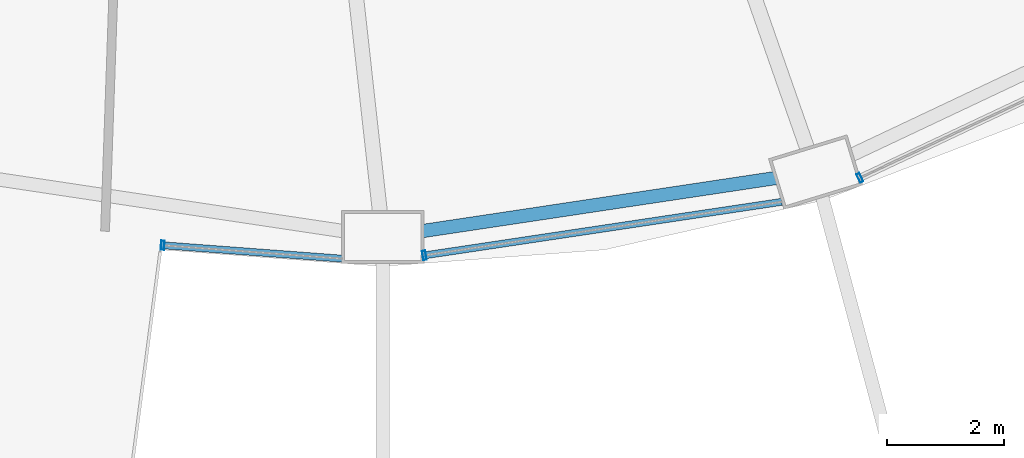
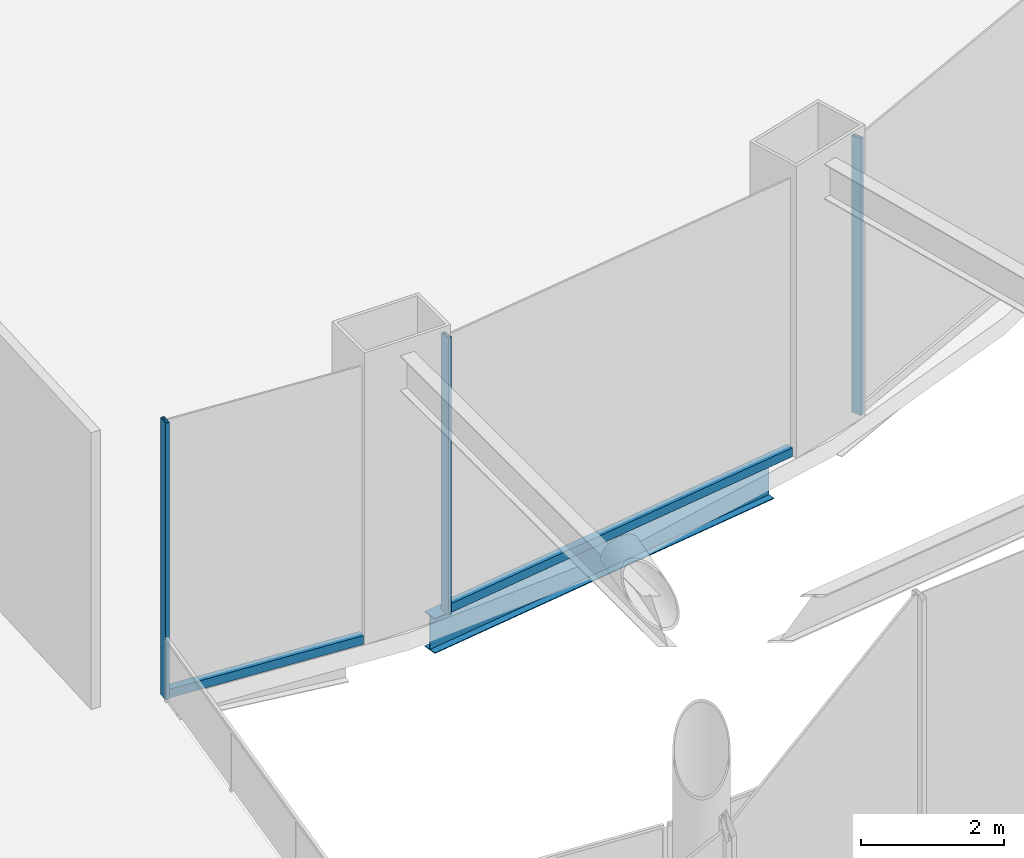
# One storey, part 10 of 52: 5 members, 1 beam, 3 elements without a shape of their own.
"""IFC4 building model written with IfcOpenShell, lengths in metres."""

from ifc_helpers import new_model, si_unit, direction, frame, origin, origin_2d, place, context, subcontext, project, spatial, hollow_rectangle, i_section, extrude, material, layer, layer_set, material_profile, profile_set, type_object, element, aggregate, save


model = new_model("IFC4")

# Units and contexts
model_context = context("Model", 3, precision=1e-05, world=origin(), true_north=direction((0.0, 1.0)))
body_context = subcontext(model_context, "Body", "Model", "MODEL_VIEW")
ifc_project = project(units=[si_unit("LENGTHUNIT", "METRE"), si_unit("AREAUNIT", "SQUARE_METRE"), si_unit("VOLUMEUNIT", "CUBIC_METRE"), si_unit("PLANEANGLEUNIT", "RADIAN"), si_unit("MASSUNIT", "GRAM", prefix="KILO")], contexts=[model_context])

# Site, building, storey
site_placement = place(None, origin())
site = spatial("IfcSite", under=ifc_project, at=site_placement, CompositionType="ELEMENT")
building_placement = place(site_placement, origin())
building = spatial("IfcBuilding", under=site, at=building_placement, Name="Nagisa Residences", CompositionType="ELEMENT")
storey_placement = place(building_placement, frame((0.0, 0.0, 22.0)))
storey = spatial("IfcBuildingStorey", under=building, at=storey_placement, Name="L04", CompositionType="ELEMENT", Elevation=22.0)

# Curtain wall, member
ifc_material_1 = material(Name="Stainless steel curtain wall system", Category="steel")
ifc_layer = layer(ifc_material_1, 0.159912109375)
ifc_layer_set = layer_set([ifc_layer], Name="CW6 CURTAIN WALL")
curtain_wall_type = type_object("IfcCurtainWallType", Name="CW6 CURTAIN WALL", PredefinedType="NOTDEFINED", material=ifc_layer_set)
curtain_wall_1_placement = place(storey_placement, origin())
curtain_wall_1 = element("IfcCurtainWall", 1, at=curtain_wall_1_placement, inside=storey, type_object=curtain_wall_type, Name="cw:CW6:L04:35", PredefinedType="NOTDEFINED")
ifc_material_2 = material(Name="Stainless steel", Category="steel")
ifc_material_profile_1 = material_profile(ifc_material_2, hollow_rectangle(XDim=0.159912109375, YDim=0.06005859375, WallThickness=0.006103515625, at=origin_2d()), Name="CW6 MULLION 160x60")
ifc_profile_set_1 = profile_set([ifc_material_profile_1], Name="Stainless steel")
member_type_1 = type_object("IfcMemberType", Name="CW6 MULLION 160x60", PredefinedType="MULLION", material=ifc_profile_set_1)
member_1_placement = place(storey_placement, frame((-0.1494140625, -32.64013671875, 0.0), z_axis=(0.0, 0.0, 1.0), x_axis=(0.074377355493, 0.997230168512, 0.0)))
member_1 = element("IfcMember", 2, at=member_1_placement, type_object=member_type_1, Name="CW6 mullion", PredefinedType="MULLION", context=body_context, shape_type="SweptSolid", body=[
    extrude(hollow_rectangle(XDim=0.159912109375, YDim=0.06005859375, WallThickness=0.006103515625, at=origin_2d()), origin(), (0.0, 0.0, 1.0), 4.739990234375),
])

curtain_wall_2_placement = place(storey_placement, origin())
curtain_wall_2 = element("IfcCurtainWall", 3, at=curtain_wall_2_placement, inside=storey, type_object=curtain_wall_type, Name="cw:CW6:L04:36", PredefinedType="NOTDEFINED")
member_2_placement = place(storey_placement, frame((4.31005859375, -32.812744140625, 0.0), z_axis=(0.0, 0.0, 1.0), x_axis=(-0.148158096894, 0.988963689083, 0.0)))
member_2 = element("IfcMember", 4, at=member_2_placement, type_object=member_type_1, Name="CW6 mullion", PredefinedType="MULLION", context=body_context, shape_type="SweptSolid", body=[
    extrude(hollow_rectangle(XDim=0.159912109375, YDim=0.06005859375, WallThickness=0.006103515625, at=origin_2d()), origin(), (0.0, 0.0, 1.0), 4.739990234375),
])

curtain_wall_3_placement = place(storey_placement, origin())
curtain_wall_3 = element("IfcCurtainWall", 5, at=curtain_wall_3_placement, inside=storey, type_object=curtain_wall_type, Name="cw:CW6:L04:38", PredefinedType="NOTDEFINED")
member_3_placement = place(storey_placement, frame((11.73193359375, -31.491943359375, 0.0), z_axis=(0.0, 0.0, 1.0), x_axis=(-0.426358467603, 0.904554286432, 0.0)))
member_3 = element("IfcMember", 6, at=member_3_placement, type_object=member_type_1, Name="CW6 mullion", PredefinedType="MULLION", context=body_context, shape_type="SweptSolid", body=[
    extrude(hollow_rectangle(XDim=0.159912109375, YDim=0.06005859375, WallThickness=0.006103515625, at=origin_2d()), origin(), (0.0, 0.0, 1.0), 4.739990234375),
])
aggregate(curtain_wall_3, [member_3])

# Member
ifc_material_3 = material(Name="Stainless steel", Category="steel")
ifc_material_profile_2 = material_profile(ifc_material_3, hollow_rectangle(XDim=0.1201171875, YDim=0.14990234375, WallThickness=0.008056640625, at=origin_2d()), Name="CW6 TRANSOM 120x150")
ifc_profile_set_2 = profile_set([ifc_material_profile_2], Name="Stainless steel")
member_type_2 = type_object("IfcMemberType", Name="CW6 TRANSOM 120x150", PredefinedType="USERDEFINED", material=ifc_profile_set_2)
member_4_placement = place(storey_placement, frame((-0.17919921875, -32.637939453125, 0.074951171875), z_axis=(0.997230834878, -0.074368420505, 0.0), x_axis=(0.074368420505, 0.997230834878, 0.0)))
member_4 = element("IfcMember", 7, at=member_4_placement, type_object=member_type_2, Name="CW6 transom", ObjectType="TRANSOM", PredefinedType="USERDEFINED", context=body_context, shape_type="SweptSolid", body=[
    extrude(hollow_rectangle(XDim=0.1201171875, YDim=0.14990234375, WallThickness=0.008056640625, at=origin_2d()), origin(), (0.0, 0.0, 1.0), 3.095703125),
])

aggregate(curtain_wall_1, [member_1, member_4])

member_5_placement = place(storey_placement, frame((4.280517578125, -32.817138671875, 0.074951171875), z_axis=(0.988964110959, 0.148155280822, 0.0), x_axis=(-0.148155280822, 0.988964110959, 0.0)))
member_5 = element("IfcMember", 8, at=member_5_placement, type_object=member_type_2, Name="CW6 transom", ObjectType="TRANSOM", PredefinedType="USERDEFINED", context=body_context, shape_type="SweptSolid", body=[
    extrude(hollow_rectangle(XDim=0.1201171875, YDim=0.14990234375, WallThickness=0.008056640625, at=origin_2d()), origin(), (0.0, 0.0, 1.0), 6.189453125),
])

aggregate(curtain_wall_2, [member_2, member_5])

# Beam
ifc_material_4 = material(Name="Steel ASTM A572 Gr 50", Category="steel")
ifc_material_profile_3 = material_profile(ifc_material_4, i_section(OverallWidth=0.22802734375, OverallDepth=0.60302734375, WebThickness=0.010498046875, FlangeThickness=0.014892578125, at=origin_2d()), Name="W610x101")
ifc_profile_set_3 = profile_set([ifc_material_profile_3], Name="Steel ASTM A572 Gr 50")
beam_type = type_object("IfcBeamType", Name="Perimeter ring beam W610x101", PredefinedType="BEAM", material=ifc_profile_set_3)
beam_placement = place(storey_placement, frame((4.2802734375, -32.39794921875, -0.6015625), z_axis=(0.988914559467, 0.14848566959, 0.0), x_axis=(-0.14848566959, 0.988914559467, 0.0)))
element("IfcBeam", 9, at=beam_placement, inside=storey, type_object=beam_type, Name="beam:L04:pb19", PredefinedType="BEAM", context=body_context, shape_type="SweptSolid", body=[
    extrude(i_section(OverallWidth=0.22802734375, OverallDepth=0.60302734375, WebThickness=0.010498046875, FlangeThickness=0.014892578125, at=origin_2d()), origin(), (0.0, 0.0, 1.0), 6.08349609375),
])

save(model, "model.ifc")
